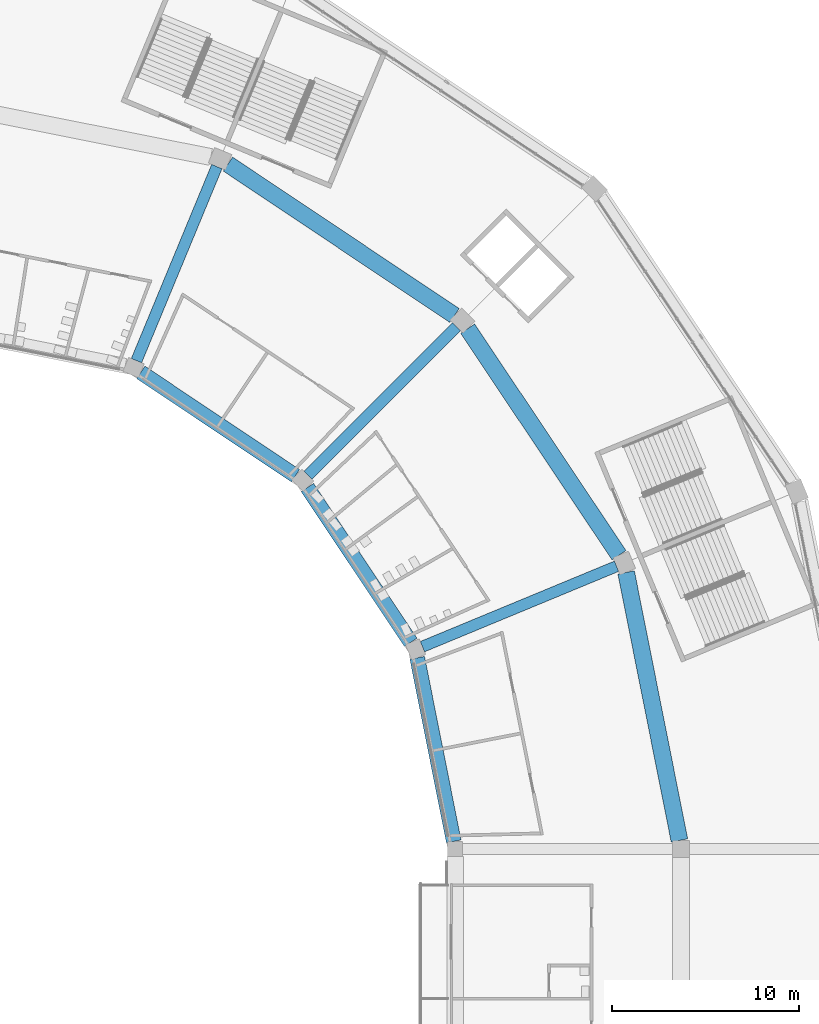
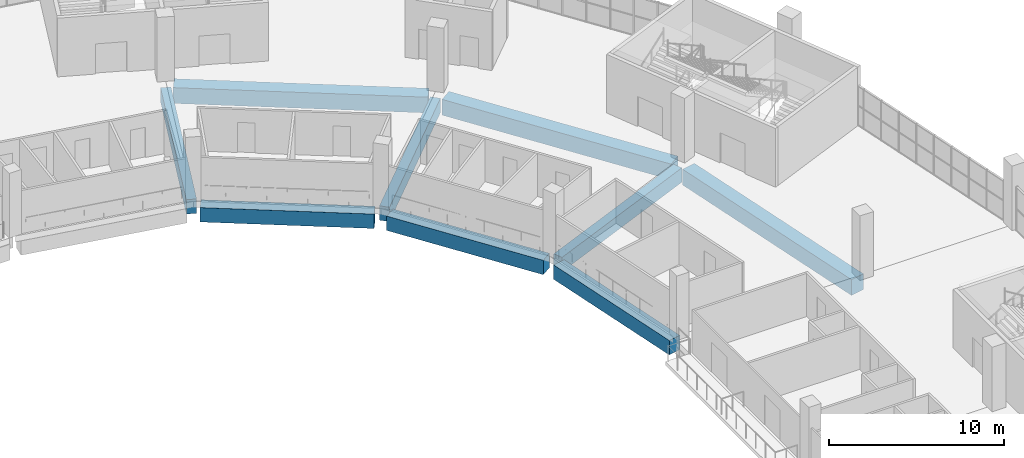
# One storey, part 50 of 199: 9 beams.
"""IFC4 building model written with IfcOpenShell, lengths in metres."""

from ifc_helpers import new_model, si_unit, direction, frame, origin, origin_2d, place, context, subcontext, project, spatial, rectangle, extrude, material, material_profile, profile_set, type_object, element, save


model = new_model("IFC4")

# Units and contexts
model_context = context("Model", 3, precision=1e-05, world=origin(), true_north=direction((0.0, 1.0)))
body_context = subcontext(model_context, "Body", "Model", "MODEL_VIEW")
ifc_project = project(units=[si_unit("LENGTHUNIT", "METRE"), si_unit("AREAUNIT", "SQUARE_METRE"), si_unit("VOLUMEUNIT", "CUBIC_METRE"), si_unit("PLANEANGLEUNIT", "RADIAN"), si_unit("MASSUNIT", "GRAM", prefix="KILO")], contexts=[model_context])

# Site, building, storey
site_placement = place(None, origin())
site = spatial("IfcSite", under=ifc_project, at=site_placement, CompositionType="ELEMENT")
building_placement = place(site_placement, origin())
building = spatial("IfcBuilding", under=site, at=building_placement, Name="Ogive Plaza Stadium", CompositionType="ELEMENT")
storey_placement = place(building_placement, frame((0.0, 0.0, 9.0)))
storey = spatial("IfcBuildingStorey", under=building, at=storey_placement, Name="L02", CompositionType="ELEMENT", Elevation=9.0)

# Beams
ifc_material_1 = material(Name="Concrete C40/50", Category="concrete")
ifc_material_profile_1 = material_profile(ifc_material_1, rectangle(XDim=0.60009765625, YDim=1.0, at=origin_2d()), Name="RC 600x1000")
ifc_profile_set_1 = profile_set([ifc_material_profile_1], Name="Concrete C40/50")
beam_type_1 = type_object("IfcBeamType", Name="RC radial beam 600x1000", PredefinedType="BEAM", material=ifc_profile_set_1)
beam_1_placement = place(storey_placement, frame((44.829833984375, 78.645751953125, -0.909912109375), z_axis=(0.382677616283, 0.92388194159, 0.0), x_axis=(-0.92388194159, 0.382677616283, 0.0)))
element("IfcBeam", 1, at=beam_1_placement, inside=storey, type_object=beam_type_1, Name="Radial beam L02 R38 F3F4", PredefinedType="BEAM", context=body_context, shape_type="SweptSolid", body=[
    extrude(rectangle(XDim=0.60009765625, YDim=1.0, at=origin_2d()), origin(), (0.0, 0.0, 1.0), 11.250244140625),
])
beam_2_placement = place(storey_placement, frame((54.01123046875, 72.51123046875, -0.909912109375), z_axis=(0.707106781187, 0.707106781187, 0.0), x_axis=(-0.707106781187, 0.707106781187, 0.0)))
element("IfcBeam", 2, at=beam_2_placement, inside=storey, type_object=beam_type_1, Name="Radial beam L02 R39 F3F4", PredefinedType="BEAM", context=body_context, shape_type="SweptSolid", body=[
    extrude(rectangle(XDim=0.60009765625, YDim=1.0, at=origin_2d()), origin(), (0.0, 0.0, 1.0), 11.249755859375),
])
beam_3_placement = place(storey_placement, frame((60.145751953125, 63.329833984375, -0.909912109375), z_axis=(0.92388194159, 0.382677616283, 0.0), x_axis=(-0.382677616283, 0.92388194159, 0.0)))
element("IfcBeam", 3, at=beam_3_placement, inside=storey, type_object=beam_type_1, Name="Radial beam L02 R40 F3F4", PredefinedType="BEAM", context=body_context, shape_type="SweptSolid", body=[
    extrude(rectangle(XDim=0.60009765625, YDim=1.0, at=origin_2d()), origin(), (0.0, 0.0, 1.0), 11.250244140625),
])
ifc_material_2 = material(Name="Concrete C40/50", Category="concrete")
ifc_material_profile_2 = material_profile(ifc_material_2, rectangle(XDim=0.800048828125, YDim=1.0, at=origin_2d()), Name="RC 800x1000")
ifc_profile_set_2 = profile_set([ifc_material_profile_2], Name="Concrete C40/50")
beam_type_2 = type_object("IfcBeamType", Name="RC ring beam 800x1000", PredefinedType="BEAM", material=ifc_profile_set_2)
for number, where, z_axis, x_axis, name in (
    (4, (45.058349609375, 78.021240234375, -0.909912109375), (0.831469573595, -0.555570290949, 0.0), (0.555570290949, 0.831469573595, 0.0), "Ring beam F3 L02 B38"),
    (5, (53.983154296875, 71.8466796875, -0.909912109375), (0.555570290949, -0.831469573595, 0.0), (0.831469573595, 0.555570290949, 0.0), "Ring beam F3 L02 B39"),
):
    element("IfcBeam", number, at=place(storey_placement, frame(where, z_axis=z_axis, x_axis=x_axis)), inside=storey, type_object=beam_type_2, Name=name, PredefinedType="BEAM", context=body_context, shape_type="SweptSolid", body=[
        extrude(rectangle(XDim=0.800048828125, YDim=1.0, at=origin_2d()), origin(), (0.0, 0.0, 1.0), 9.96826171875),
    ])
beam_4_placement = place(storey_placement, frame((59.86572265625, 62.726806640625, -0.909912109375), z_axis=(0.195103876937, -0.980782584064, 0.0), x_axis=(0.980782584064, 0.195103876937, 0.0)))
element("IfcBeam", 6, at=beam_4_placement, inside=storey, type_object=beam_type_2, Name="Ring beam F3 L02 B40", PredefinedType="BEAM", context=body_context, shape_type="SweptSolid", body=[
    extrude(rectangle(XDim=0.800048828125, YDim=1.0, at=origin_2d()), origin(), (0.0, 0.0, 1.0), 10.01953125),
])
ifc_material_3 = material(Name="Concrete C40/50", Category="concrete")
ifc_material_profile_3 = material_profile(ifc_material_3, rectangle(XDim=0.89990234375, YDim=1.10009765625, at=origin_2d()), Name="RC 900x1100")
ifc_profile_set_3 = profile_set([ifc_material_profile_3], Name="Concrete C40/50")
beam_type_3 = type_object("IfcBeamType", Name="RC ring beam 900x1100", PredefinedType="BEAM", material=ifc_profile_set_3)
for number, where, z_axis, x_axis, name in (
    (7, (49.731201171875, 89.171875, -0.9599609375), (0.831467933961, -0.555572744827, 0.0), (0.555572744827, 0.831467933961, 0.0), "Ring beam F4 L02 B38"),
    (8, (62.5673828125, 80.3603515625, -0.9599609375), (0.555572744827, -0.831467933961, 0.0), (0.831467933961, 0.555572744827, 0.0), "Ring beam F4 L02 B39"),
):
    element("IfcBeam", number, at=place(storey_placement, frame(where, z_axis=z_axis, x_axis=x_axis)), inside=storey, type_object=beam_type_3, Name=name, PredefinedType="BEAM", context=body_context, shape_type="SweptSolid", body=[
        extrude(rectangle(XDim=0.89990234375, YDim=1.10009765625, at=origin_2d()), origin(), (0.0, 0.0, 1.0), 14.587646484375),
    ])
beam_5_placement = place(storey_placement, frame((71.0546875, 67.307373046875, -0.9599609375), z_axis=(0.195080078519, -0.980787317906, 0.0), x_axis=(0.980787317906, 0.195080078519, 0.0)))
element("IfcBeam", 9, at=beam_5_placement, inside=storey, type_object=beam_type_3, Name="Ring beam F4 L02 B40", PredefinedType="BEAM", context=body_context, shape_type="SweptSolid", body=[
    extrude(rectangle(XDim=0.89990234375, YDim=1.10009765625, at=origin_2d()), origin(), (0.0, 0.0, 1.0), 14.638671875),
])

save(model, "model.ifc")
